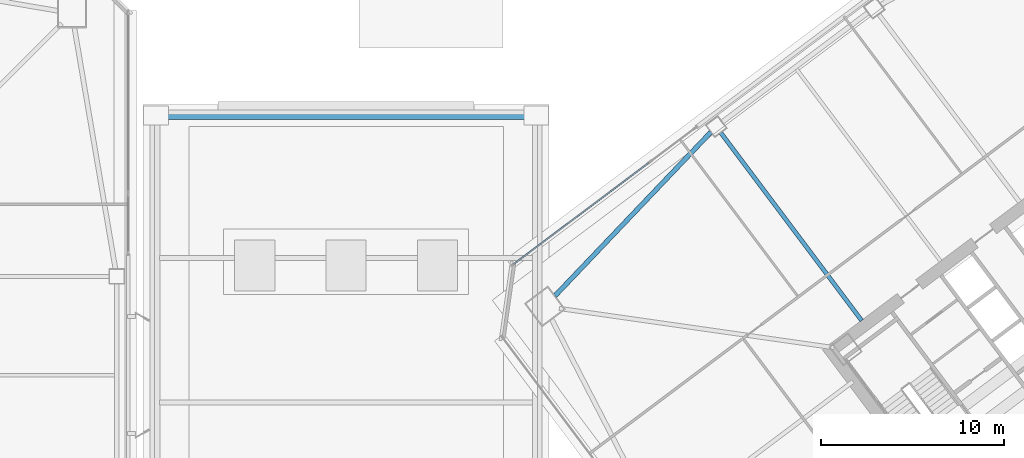
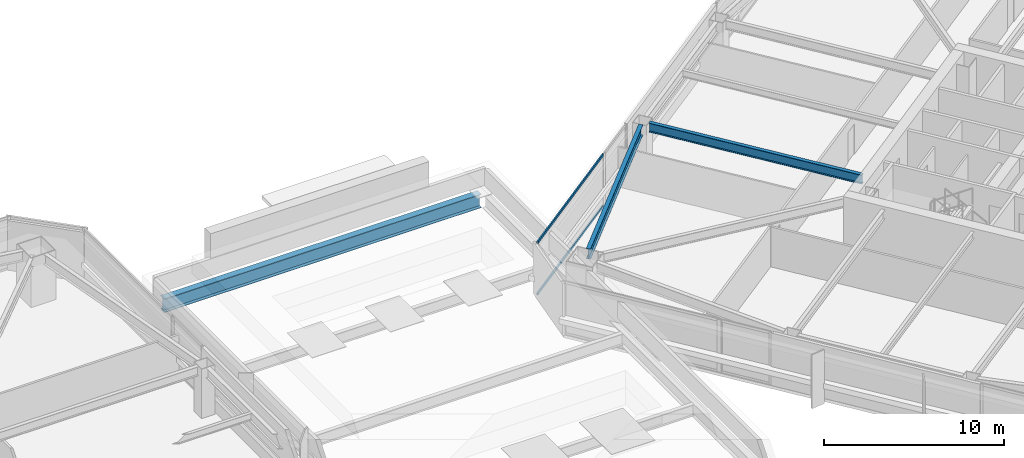
# One storey, part 32 of 62: 3 beams, 2 members, 1 element without a shape of its own.
"""IFC4 building model written with IfcOpenShell, lengths in metres."""

from ifc_helpers import new_model, si_unit, direction, frame, origin, origin_2d, place, context, subcontext, project, spatial, hollow_rectangle, i_section, extrude, material, material_profile, profile_set, type_object, element, aggregate, save


model = new_model("IFC4")

# Units and contexts
model_context = context("Model", 3, precision=1e-05, world=origin(), true_north=direction((0.0, 1.0)))
body_context = subcontext(model_context, "Body", "Model", "MODEL_VIEW")
ifc_project = project(units=[si_unit("LENGTHUNIT", "METRE"), si_unit("AREAUNIT", "SQUARE_METRE"), si_unit("VOLUMEUNIT", "CUBIC_METRE"), si_unit("PLANEANGLEUNIT", "RADIAN"), si_unit("MASSUNIT", "GRAM", prefix="KILO")], contexts=[model_context])

# Site, building, storey
site_placement = place(None, origin())
site = spatial("IfcSite", under=ifc_project, at=site_placement, CompositionType="ELEMENT")
building_placement = place(site_placement, origin())
building = spatial("IfcBuilding", under=site, at=building_placement, Name="Tashvorn Skyway Center", CompositionType="ELEMENT")
storey_placement = place(building_placement, frame((0.0, 0.0, 28.14990234375)))
storey = spatial("IfcBuildingStorey", under=building, at=storey_placement, Name="L06", CompositionType="ELEMENT", Elevation=28.14990234375)

# Beams
ifc_material_1 = material(Name="Steel ASTM A992 Grade 50", Category="steel")
ifc_material_profile_1 = material_profile(ifc_material_1, i_section(OverallWidth=0.22998046875, OverallDepth=0.616943359375, WebThickness=0.01318359375, FlangeThickness=0.022216796875, at=origin_2d()), Name="W24X94")
ifc_profile_set_1 = profile_set([ifc_material_profile_1], Name="Steel ASTM A992 Grade 50")
beam_type_1 = type_object("IfcBeamType", Name="BM-BEAM-W24X94", PredefinedType="BEAM", material=ifc_profile_set_1)
beam_1_placement = place(storey_placement, frame((97.302001953125, 45.263916015625, 3.04150390625), z_axis=(0.599996960112, -0.800002279907, 0.0), x_axis=(0.800002279907, 0.599996960112, 0.0)))
element("IfcBeam", 1, at=beam_1_placement, inside=storey, type_object=beam_type_1, Name="Tower 2 L06 Primary Floor Girder FC-N2", PredefinedType="BEAM", context=body_context, shape_type="SweptSolid", body=[
    extrude(i_section(OverallWidth=0.22998046875, OverallDepth=0.616943359375, WebThickness=0.01318359375, FlangeThickness=0.022216796875, at=origin_2d()), origin(), (0.0, 0.0, 1.0), 12.85009765625),
])
ifc_material_2 = material(Name="Steel ASTM A913 Grade 65", Category="steel")
ifc_material_profile_2 = material_profile(ifc_material_2, i_section(OverallWidth=0.4189453125, OverallDepth=0.927001953125, WebThickness=0.019287109375, FlangeThickness=0.031982421875, at=origin_2d()), Name="W36X231")
ifc_profile_set_2 = profile_set([ifc_material_profile_2], Name="Steel ASTM A913 Grade 65")
beam_type_2 = type_object("IfcBeamType", Name="BM-BEAM-W36X231", PredefinedType="BEAM", material=ifc_profile_set_2)
beam_2_placement = place(storey_placement, frame((66.64990234375, 46.199951171875, 1.1865234375), z_axis=(1.0, 0.0, 0.0), x_axis=(0.0, 1.0, 0.0)))
element("IfcBeam", 2, at=beam_2_placement, inside=storey, type_object=beam_type_2, Name="Concourse Monitor Transverse Girder 2", PredefinedType="BEAM", context=body_context, shape_type="SweptSolid", body=[
    extrude(i_section(OverallWidth=0.4189453125, OverallDepth=0.927001953125, WebThickness=0.019287109375, FlangeThickness=0.031982421875, at=origin_2d()), origin(), (0.0, 0.0, 1.0), 20.300048828125),
])
ifc_material_profile_3 = material_profile(ifc_material_1, i_section(OverallWidth=0.256103515625, OverallDepth=0.693115234375, WebThickness=0.014404296875, FlangeThickness=0.023681640625, at=origin_2d()), Name="W27X114")
ifc_profile_set_3 = profile_set([ifc_material_profile_3], Name="Steel ASTM A992 Grade 50")
beam_type_3 = type_object("IfcBeamType", Name="BM-SPANDREL-W27X114", PredefinedType="SPANDREL", material=ifc_profile_set_3)
beam_3_placement = place(storey_placement, frame((96.76025390625, 45.2958984375, 3.003662109375), z_axis=(-0.689589637236, -0.724200339835, 0.0), x_axis=(0.724200339835, -0.689589637236, 0.0)))
element("IfcBeam", 3, at=beam_3_placement, inside=storey, type_object=beam_type_3, Name="Tower 2 L06 Spandrel Beam 09", PredefinedType="SPANDREL", context=body_context, shape_type="SweptSolid", body=[
    extrude(i_section(OverallWidth=0.256103515625, OverallDepth=0.693115234375, WebThickness=0.014404296875, FlangeThickness=0.023681640625, at=origin_2d()), origin(), (0.0, 0.0, 1.0), 12.37255859375),
])

# Curtain wall, members
ifc_material_3 = material(Name="Thermally broken bronze-anodized aluminium 6063-T6", Category="aluminium")
curtain_wall_type = type_object("IfcCurtainWallType", Name="CW-CW-Z1", PredefinedType="NOTDEFINED", material=ifc_material_3)
curtain_wall_placement = place(storey_placement, origin())
curtain_wall = element("IfcCurtainWall", 4, at=curtain_wall_placement, inside=storey, type_object=curtain_wall_type, Name="Tower 2 L06 North Unitised Curtain Wall Glazing Group 1", PredefinedType="NOTDEFINED")
ifc_material_profile_4 = material_profile(ifc_material_3, hollow_rectangle(XDim=0.0849609375, YDim=0.1650390625, WallThickness=0.0048828125, at=origin_2d()), Name="ALU-TRAN-85x165")
ifc_profile_set_4 = profile_set([ifc_material_profile_4], Name="Thermally broken bronze-anodized aluminium 6063-T6")
member_type = type_object("IfcMemberType", Name="CWT-CW-Z1", PredefinedType="USERDEFINED", material=ifc_profile_set_4)
member_1_placement = place(storey_placement, frame((85.9560546875, 38.06689453125, 0.04248046875), z_axis=(0.8, 0.6, 0.0), x_axis=(-0.6, 0.8, 0.0)))
member_1 = element("IfcMember", 5, at=member_1_placement, type_object=member_type, Name="CW-Z1 transom 1.1", ObjectType="TRANSOM", PredefinedType="USERDEFINED", context=body_context, shape_type="SweptSolid", body=[
    extrude(hollow_rectangle(XDim=0.0849609375, YDim=0.1650390625, WallThickness=0.0048828125, at=origin_2d()), origin(), (0.0, 0.0, 1.0), 9.27001953125),
])
member_2_placement = place(storey_placement, frame((85.9560546875, 38.06689453125, 3.507568359375), z_axis=(0.8, 0.6, 0.0), x_axis=(-0.6, 0.8, 0.0)))
member_2 = element("IfcMember", 6, at=member_2_placement, type_object=member_type, Name="CW-Z1 transom 1.2", ObjectType="TRANSOM", PredefinedType="USERDEFINED", context=body_context, shape_type="SweptSolid", body=[
    extrude(hollow_rectangle(XDim=0.0849609375, YDim=0.1650390625, WallThickness=0.0048828125, at=origin_2d()), origin(), (0.0, 0.0, 1.0), 9.27001953125),
])
aggregate(curtain_wall, [member_1, member_2])

save(model, "model.ifc")
